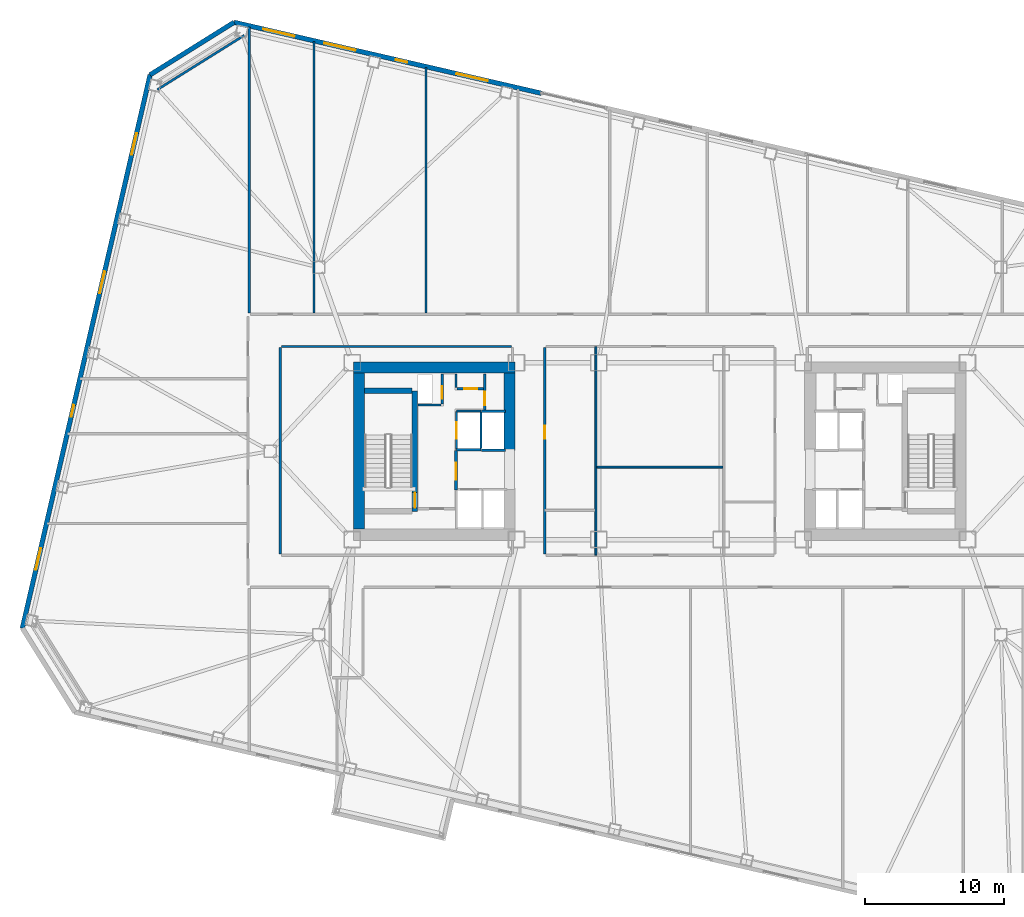
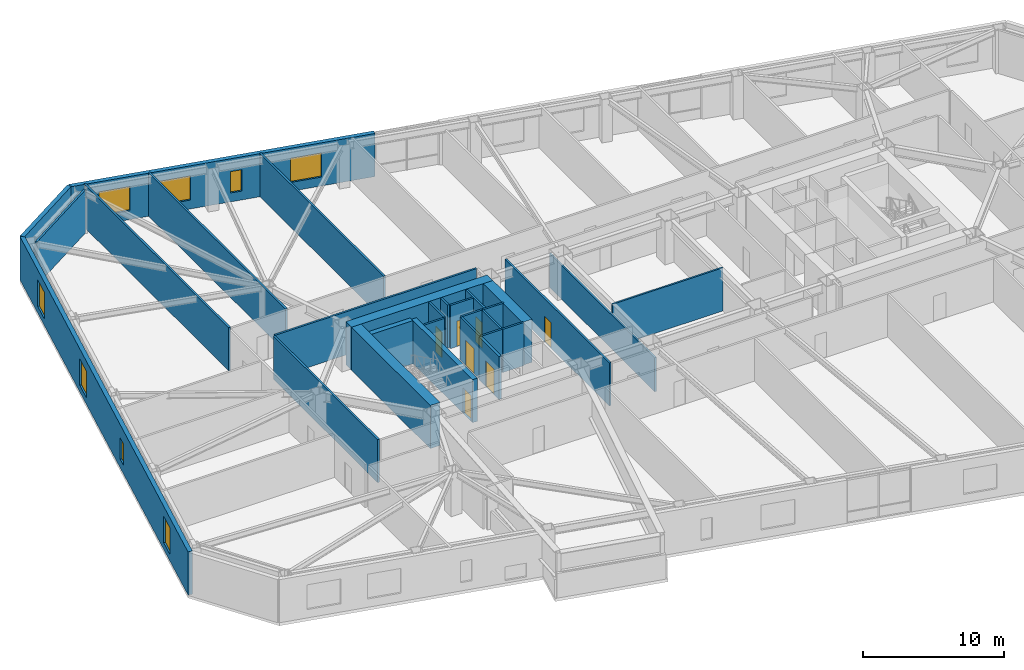
# One storey, part 10 of 18: 29 walls, 8 windows, 7 doors, 15 openings.
"""IFC4 building model written with IfcOpenShell, lengths in metres."""

from ifc_helpers import new_model, si_unit, direction, frame, frame_2d, origin, place, context, subcontext, project, spatial, rectangle, extrude, material, layer, layer_set, type_object, element, fill, save


model = new_model("IFC4")

# Units and contexts
model_context = context("Model", 3, precision=1e-05, world=origin(), true_north=direction((0.0, 1.0)))
body_context = subcontext(model_context, "Body", "Model", "MODEL_VIEW")
ifc_project = project(units=[si_unit("LENGTHUNIT", "METRE"), si_unit("AREAUNIT", "SQUARE_METRE"), si_unit("VOLUMEUNIT", "CUBIC_METRE"), si_unit("PLANEANGLEUNIT", "RADIAN"), si_unit("MASSUNIT", "GRAM", prefix="KILO")], contexts=[model_context])

# Site, building, storey
site_placement = place(None, origin())
site = spatial("IfcSite", under=ifc_project, at=site_placement, CompositionType="ELEMENT")
building_placement = place(site_placement, origin())
building = spatial("IfcBuilding", under=site, at=building_placement, Name="Tavrogorsk Clinical Tower", CompositionType="ELEMENT")
storey_placement = place(building_placement, frame((0.0, 0.0, 47.39990234375)))
storey = spatial("IfcBuildingStorey", under=building, at=storey_placement, Name="L09", CompositionType="ELEMENT", Elevation=47.39990234375)

# Wall, opening, door
ifc_material_1 = material(Name="Concrete B60", Category="concrete")
ifc_layer_1 = layer(ifc_material_1, 0.199951171875)
ifc_layer_set_1 = layer_set([ifc_layer_1], Name="Concrete B60")
wall_type_1 = type_object("IfcWallType", Name="CoreFireWall_200", PredefinedType="SOLIDWALL", material=ifc_layer_set_1)
wall_1_placement = place(storey_placement, frame((-14.639892578125, -2.780029296875, 0.0), z_axis=(0.0, 0.0, 1.0), x_axis=(0.0, 1.0, 0.0)))
wall_1 = element("IfcWall", 1, at=wall_1_placement, inside=storey, type_object=wall_type_1, Name="L09 Core West Firefighting Lobby Fire Wall", PredefinedType="SOLIDWALL", context=body_context, shape_type="SweptSolid", body=[
    extrude(rectangle(XDim=2.820068359375, YDim=0.199951171875, at=frame_2d((1.41015625, 0.0))), origin(), (0.0, 0.0, 1.0), 3.739990234375),
])
opening_1_placement = place(wall_1_placement, frame((0.72998046875, 0.0, 0.0)))
opening_1 = element("IfcOpeningElement", 2, at=opening_1_placement, cuts=wall_1, Name="Opening FD-01", PredefinedType="OPENING", context=body_context, shape_type="SweptSolid", body=[
    extrude(rectangle(XDim=1.199951171875, YDim=2.199951171875, at=frame_2d((0.60009765625, 1.10009765625))), frame((0.0, 0.10986328125, 0.0), z_axis=(0.0, -1.0, 0.0), x_axis=(1.0, 0.0, 0.0)), (0.0, 0.0, 1.0), 0.219970703125),
])
ifc_material_2 = material(Name="Galvanised steel fire-rated door assembly", Category="steel")
door_type_1 = type_object("IfcDoorType", Name="FireDoor_FD01_1200", OperationType="NOTDEFINED", PredefinedType="DOOR", material=ifc_material_2)
door_1_placement = place(opening_1_placement, origin())
door_1 = element("IfcDoor", 3, at=door_1_placement, inside=storey, type_object=door_type_1, Name="L09 Core West Firefighting Lobby Entry Door", OperationType="SINGLE_SWING_LEFT", OverallHeight=2.199951171875, OverallWidth=1.199951171875, PredefinedType="DOOR", context=body_context, shape_type="SweptSolid", body=[
    extrude(rectangle(XDim=1.199951171875, YDim=2.199951171875, at=frame_2d((0.60009765625, 1.10009765625))), frame((0.0, 0.02490234375, 0.0), z_axis=(0.0, -1.0, 0.0), x_axis=(1.0, 0.0, 0.0)), (0.0, 0.0, 1.0), 0.050048828125),
])
fill(opening_1, door_1)

# Walls
ifc_material_3 = material(Name="Lightweight concrete blockwork B15", Category="masonry")
ifc_layer_2 = layer(ifc_material_3, 0.139892578125)
ifc_layer_set_2 = layer_set([ifc_layer_2], Name="Lightweight concrete blockwork B15")
wall_type_2 = type_object("IfcWallType", Name="PartitionWall_140", PredefinedType="PARTITIONING", material=ifc_layer_set_2)
wall_2_placement = place(storey_placement, frame((-4.60009765625, -7.465087890625, 0.0), z_axis=(0.0, 0.0, 1.0), x_axis=(0.0, 1.0, 0.0)))
element("IfcWall", 4, at=wall_2_placement, inside=storey, type_object=wall_type_2, Name="L09 Central Spine Partition 1", PredefinedType="PARTITIONING", context=body_context, shape_type="SweptSolid", body=[
    extrude(rectangle(XDim=14.97998046875, YDim=0.139892578125, at=frame_2d((7.489990234375, 0.0))), origin(), (0.0, 0.0, 1.0), 2.93505859375),
])
wall_3_placement = place(storey_placement, frame((-4.52490234375, -1.14990234375, 0.0), z_axis=(0.0, 0.0, 1.0), x_axis=(1.0, 0.0, 0.0)))
element("IfcWall", 5, at=wall_3_placement, inside=storey, type_object=wall_type_2, Name="L09 Central Spine Partition 3", PredefinedType="PARTITIONING", context=body_context, shape_type="SweptSolid", body=[
    extrude(rectangle(XDim=9.0498046875, YDim=0.139892578125, at=frame_2d((4.52490234375, 0.0))), origin(), (0.0, 0.0, 1.0), 3.739990234375),
])

# Wall, opening, door
ifc_material_4 = material(Name="Lightweight concrete blockwork B15", Category="masonry")
ifc_layer_3 = layer(ifc_material_4, 0.159912109375)
ifc_layer_set_3 = layer_set([ifc_layer_3], Name="Lightweight concrete blockwork B15")
wall_type_3 = type_object("IfcWallType", Name="PartitionWall_160", PredefinedType="PARTITIONING", material=ifc_layer_set_3)
wall_4_placement = place(storey_placement, frame((-12.580078125, 2.9599609375, 0.0), z_axis=(0.0, 0.0, 1.0), x_axis=(0.0, 1.0, 0.0)))
wall_4 = element("IfcWall", 6, at=wall_4_placement, inside=storey, type_object=wall_type_3, Name="L09 Core West Linen Closet Wall", PredefinedType="PARTITIONING", context=body_context, shape_type="SweptSolid", body=[
    extrude(rectangle(XDim=2.60009765625, YDim=0.159912109375, at=frame_2d((1.300048828125, 0.0))), origin(), (0.0, 0.0, 1.0), 3.739990234375),
])
opening_2_placement = place(wall_4_placement, frame((0.35009765625, 0.0, 0.0)))
opening_2 = element("IfcOpeningElement", 7, at=opening_2_placement, cuts=wall_4, Name="Opening ID-02", PredefinedType="OPENING", context=body_context, shape_type="SweptSolid", body=[
    extrude(rectangle(XDim=0.949951171875, YDim=2.199951171875, at=frame_2d((0.47509765625, 1.10009765625))), frame((0.0, 0.08984375, 0.0), z_axis=(0.0, -1.0, 0.0), x_axis=(1.0, 0.0, 0.0)), (0.0, 0.0, 1.0), 0.179931640625),
])
ifc_material_5 = material(Name="Laminated timber leaf on aluminium frame", Category="wood")
door_type_2 = type_object("IfcDoorType", Name="InteriorDoor_ID02_950", OperationType="NOTDEFINED", PredefinedType="DOOR", material=ifc_material_5)
door_2_placement = place(opening_2_placement, origin())
door_2 = element("IfcDoor", 8, at=door_2_placement, inside=storey, type_object=door_type_2, Name="L09 Core West Linen Closet Door", OperationType="SINGLE_SWING_LEFT", OverallHeight=2.199951171875, OverallWidth=0.949951171875, PredefinedType="DOOR", context=body_context, shape_type="SweptSolid", body=[
    extrude(rectangle(XDim=0.949951171875, YDim=2.199951171875, at=frame_2d((0.47509765625, 1.10009765625))), frame((0.0, 0.02490234375, 0.0), z_axis=(0.0, -1.0, 0.0), x_axis=(1.0, 0.0, 0.0)), (0.0, 0.0, 1.0), 0.050048828125),
])
fill(opening_2, door_2)

wall_5_placement = place(storey_placement, frame((-14.554931640625, 4.47998046875, 0.0), z_axis=(0.0, 0.0, 1.0), x_axis=(1.0, 0.0, 0.0)))
wall_5 = element("IfcWall", 9, at=wall_5_placement, inside=storey, type_object=wall_type_3, Name="L09 Core West Housekeeping South Wall", PredefinedType="PARTITIONING", context=body_context, shape_type="SweptSolid", body=[
    extrude(rectangle(XDim=1.889892578125, YDim=0.159912109375, at=frame_2d((0.94482421875, 0.0))), origin(), (0.0, 0.0, 1.0), 3.739990234375),
])
opening_3_placement = place(wall_5_placement, frame((0.5, 0.0, 0.0)))
opening_3 = element("IfcOpeningElement", 10, at=opening_3_placement, cuts=wall_5, Name="Opening ID-02", PredefinedType="OPENING", context=body_context, shape_type="SweptSolid", body=[
    extrude(rectangle(XDim=0.949951171875, YDim=2.199951171875, at=frame_2d((0.47509765625, 1.10009765625))), frame((0.0, 0.08984375, 0.0), z_axis=(0.0, -1.0, 0.0), x_axis=(1.0, 0.0, 0.0)), (0.0, 0.0, 1.0), 0.179931640625),
])
door_3_placement = place(opening_3_placement, origin())
door_3 = element("IfcDoor", 11, at=door_3_placement, inside=storey, type_object=door_type_2, Name="L09 Core West Housekeeping Closet Door", OperationType="SINGLE_SWING_RIGHT", OverallHeight=2.199951171875, OverallWidth=0.949951171875, PredefinedType="DOOR", context=body_context, shape_type="SweptSolid", body=[
    extrude(rectangle(XDim=0.949951171875, YDim=2.199951171875, at=frame_2d((0.47509765625, 1.10009765625))), frame((0.0, 0.02490234375, 0.0), z_axis=(0.0, -1.0, 0.0), x_axis=(1.0, 0.0, 0.0)), (0.0, 0.0, 1.0), 0.050048828125),
])
fill(opening_3, door_3)

# Walls
wall_6_placement = place(storey_placement, frame((-14.639892578125, 4.56494140625, 0.0), z_axis=(0.0, 0.0, 1.0), x_axis=(0.0, 1.0, 0.0)))
element("IfcWall", 12, at=wall_6_placement, inside=storey, type_object=wall_type_3, Name="L09 Core West Housekeeping East Wall", PredefinedType="PARTITIONING", context=body_context, shape_type="SweptSolid", body=[
    extrude(rectangle(XDim=0.9951171875, YDim=0.159912109375, at=frame_2d((0.49755859375, 0.0))), origin(), (0.0, 0.0, 1.0), 3.739990234375),
])
wall_7_placement = place(storey_placement, frame((-29.859619140625, 29.8681640625, 0.0), z_axis=(0.0, 0.0, 1.0), x_axis=(-0.848043064089, -0.529927317139, 0.0)))
element("IfcWall", 13, at=wall_7_placement, inside=storey, type_object=wall_type_3, Name="L09 Corner Exoskeleton Brace Furring Wall 3", PredefinedType="PARTITIONING", context=body_context, shape_type="SweptSolid", body=[
    extrude(rectangle(XDim=7.353759765625, YDim=0.159912109375, at=frame_2d((3.6767578125, 0.0))), origin(), (0.0, 0.0, 1.0), 3.739990234375),
])

# Wall, opening, door
wall_8_placement = place(storey_placement, frame((-8.27001953125, 7.43505859375, 0.0), z_axis=(0.0, 0.0, 1.0), x_axis=(0.0, -1.0, 0.0)))
wall_8 = element("IfcWall", 14, at=wall_8_placement, inside=storey, type_object=wall_type_3, Name="L09 Corridor Partition 15", PredefinedType="PARTITIONING", context=body_context, shape_type="SweptSolid", body=[
    extrude(rectangle(XDim=14.820068359375, YDim=0.159912109375, at=frame_2d((7.41015625, 0.0))), origin(), (0.0, 0.0, 1.0), 3.739990234375),
])
opening_4_placement = place(wall_8_placement, frame((5.60400390625, 0.0, 0.0)))
opening_4 = element("IfcOpeningElement", 15, at=opening_4_placement, cuts=wall_8, Name="Opening ID-02", PredefinedType="OPENING", context=body_context, shape_type="SweptSolid", body=[
    extrude(rectangle(XDim=0.949951171875, YDim=2.199951171875, at=frame_2d((0.47509765625, 1.10009765625))), frame((0.0, 0.08984375, 0.0), z_axis=(0.0, -1.0, 0.0), x_axis=(1.0, 0.0, 0.0)), (0.0, 0.0, 1.0), 0.179931640625),
])
door_4_placement = place(opening_4_placement, origin())
door_4 = element("IfcDoor", 16, at=door_4_placement, inside=storey, type_object=door_type_2, Name="L09 Ward Nourishment Pantry Door", OperationType="SINGLE_SWING_RIGHT", OverallHeight=2.199951171875, OverallWidth=0.949951171875, PredefinedType="DOOR", context=body_context, shape_type="SweptSolid", body=[
    extrude(rectangle(XDim=0.949951171875, YDim=2.199951171875, at=frame_2d((0.47509765625, 1.10009765625))), frame((0.0, 0.02490234375, 0.0), z_axis=(0.0, -1.0, 0.0), x_axis=(1.0, 0.0, 0.0)), (0.0, 0.0, 1.0), 0.050048828125),
])
fill(opening_4, door_4)

# Walls
wall_9_placement = place(storey_placement, frame((-10.6650390625, 7.52001953125, 0.0), z_axis=(0.0, 0.0, 1.0), x_axis=(-1.0, 0.0, 0.0)))
element("IfcWall", 17, at=wall_9_placement, inside=storey, type_object=wall_type_3, Name="L09 Corridor Partition 20", PredefinedType="PARTITIONING", context=body_context, shape_type="SweptSolid", body=[
    extrude(rectangle(XDim=16.52001953125, YDim=0.159912109375, at=frame_2d((8.260009765625, 0.0))), origin(), (0.0, 0.0, 1.0), 3.739990234375),
])
wall_10_placement = place(storey_placement, frame((-27.27001953125, 7.43505859375, 0.0), z_axis=(0.0, 0.0, 1.0), x_axis=(0.0, -1.0, 0.0)))
element("IfcWall", 18, at=wall_10_placement, inside=storey, type_object=wall_type_3, Name="L09 Corridor Partition 21", PredefinedType="PARTITIONING", context=body_context, shape_type="SweptSolid", body=[
    extrude(rectangle(XDim=14.820068359375, YDim=0.159912109375, at=frame_2d((7.41015625, 0.0))), origin(), (0.0, 0.0, 1.0), 3.739990234375),
])
wall_11_placement = place(storey_placement, frame((-29.5, 9.9150390625, 0.0), z_axis=(0.0, 0.0, 1.0), x_axis=(0.0, 1.0, 0.0)))
element("IfcWall", 19, at=wall_11_placement, inside=storey, type_object=wall_type_3, Name="L09 NW Wing Closure Partition", PredefinedType="PARTITIONING", context=body_context, shape_type="SweptSolid", body=[
    extrude(rectangle(XDim=20.568603515625, YDim=0.159912109375, at=frame_2d((10.2841796875, 0.0))), origin(), (0.0, 0.0, 1.0), 3.739990234375),
])
wall_12_placement = place(storey_placement, frame((-24.85009765625, 9.9150390625, 0.0), z_axis=(0.0, 0.0, 1.0), x_axis=(0.0, 1.0, 0.0)))
element("IfcWall", 20, at=wall_12_placement, inside=storey, type_object=wall_type_3, Name="L09 North Room Partition 1", PredefinedType="PARTITIONING", context=body_context, shape_type="SweptSolid", body=[
    extrude(rectangle(XDim=19.4951171875, YDim=0.159912109375, at=frame_2d((9.74755859375, 0.0))), origin(), (0.0, 0.0, 1.0), 3.739990234375),
])
wall_13_placement = place(storey_placement, frame((-16.800048828125, 9.9150390625, 0.0), z_axis=(0.0, 0.0, 1.0), x_axis=(0.0, 1.0, 0.0)))
element("IfcWall", 21, at=wall_13_placement, inside=storey, type_object=wall_type_3, Name="L09 North Room Partition 2", PredefinedType="PARTITIONING", context=body_context, shape_type="SweptSolid", body=[
    extrude(rectangle(XDim=17.636474609375, YDim=0.159912109375, at=frame_2d((8.818359375, 0.0))), origin(), (0.0, 0.0, 1.0), 3.739990234375),
])

# Wall, openings, windows
ifc_material_6 = material(Name="Precast concrete B45 with limestone cladding", Category="masonry")
ifc_layer_4 = layer(ifc_material_6, 0.340087890625)
ifc_layer_set_4 = layer_set([ifc_layer_4], Name="Precast concrete B45 with limestone cladding")
wall_type_4 = type_object("IfcWallType", Name="PrecastLimestoneWall_340", PredefinedType="STANDARD", material=ifc_layer_set_4)
wall_14_placement = place(storey_placement, frame((-8.5166015625, 25.711181640625, 0.0), z_axis=(0.0, 0.0, 1.0), x_axis=(-0.974372845456, 0.224939009598, 0.0)))
wall_14 = element("IfcWall", 22, at=wall_14_placement, inside=storey, type_object=wall_type_4, Name="L09 N Limestone Facade Wall 3", PredefinedType="STANDARD", context=body_context, shape_type="SweptSolid", body=[
    extrude(rectangle(XDim=22.651611328125, YDim=0.340087890625, at=frame_2d((11.32568359375, 0.0))), origin(), (0.0, 0.0, 1.0), 3.739990234375),
])
opening_5_placement = place(wall_14_placement, frame((18.189208984375, 0.0, 0.77001953125)))
opening_5 = element("IfcOpeningElement", 23, at=opening_5_placement, cuts=wall_14, Name="Opening WN-12", PredefinedType="OPENING", context=body_context, shape_type="SweptSolid", body=[
    extrude(rectangle(XDim=2.300048828125, YDim=2.10009765625, at=frame_2d((1.14990234375, 1.050048828125))), frame((0.0, 0.179931640625, 0.0), z_axis=(0.0, -1.0, 0.0), x_axis=(1.0, 0.0, 0.0)), (0.0, 0.0, 1.0), 0.360107421875),
])
opening_6_placement = place(wall_14_placement, frame((13.704833984375, 0.0, 0.77001953125)))
opening_6 = element("IfcOpeningElement", 24, at=opening_6_placement, cuts=wall_14, Name="Opening WN-12", PredefinedType="OPENING", context=body_context, shape_type="SweptSolid", body=[
    extrude(rectangle(XDim=2.300048828125, YDim=2.10009765625, at=frame_2d((1.14990234375, 1.050048828125))), frame((0.0, 0.179931640625, 0.0), z_axis=(0.0, -1.0, 0.0), x_axis=(1.0, 0.0, 0.0)), (0.0, 0.0, 1.0), 0.360107421875),
])
opening_7_placement = place(wall_14_placement, frame((9.890625, 0.0, 0.77001953125)))
opening_7 = element("IfcOpeningElement", 25, at=opening_7_placement, cuts=wall_14, Name="Opening WN-06", PredefinedType="OPENING", context=body_context, shape_type="SweptSolid", body=[
    extrude(rectangle(XDim=0.85009765625, YDim=1.85009765625, at=frame_2d((0.425048828125, 0.925048828125))), frame((0.0, 0.179931640625, 0.0), z_axis=(0.0, -1.0, 0.0), x_axis=(1.0, 0.0, 0.0)), (0.0, 0.0, 1.0), 0.360107421875),
])
opening_8_placement = place(wall_14_placement, frame((3.956298828125, 0.0, 0.77001953125)))
opening_8 = element("IfcOpeningElement", 26, at=opening_8_placement, cuts=wall_14, Name="Opening WN-12", PredefinedType="OPENING", context=body_context, shape_type="SweptSolid", body=[
    extrude(rectangle(XDim=2.300048828125, YDim=2.10009765625, at=frame_2d((1.14990234375, 1.050048828125))), frame((0.0, 0.179931640625, 0.0), z_axis=(0.0, -1.0, 0.0), x_axis=(1.0, 0.0, 0.0)), (0.0, 0.0, 1.0), 0.360107421875),
])
ifc_material_7 = material(Name="Thermally broken aluminium frame and triple IGU", Category="aluminium")
window_type_1 = type_object("IfcWindowType", Name="MullionSubWin_850x1850", PartitioningType="SINGLE_PANEL", PredefinedType="WINDOW", material=ifc_material_7)
window_1_placement = place(opening_7_placement, origin())
window_1 = element("IfcWindow", 27, at=window_1_placement, inside=storey, type_object=window_type_1, Name="L09 N Mullion Split Window 03B", OverallHeight=1.85009765625, OverallWidth=0.85009765625, PartitioningType="SINGLE_PANEL", PredefinedType="WINDOW", context=body_context, shape_type="SweptSolid", body=[
    extrude(rectangle(XDim=0.85009765625, YDim=1.85009765625, at=frame_2d((0.425048828125, 0.925048828125))), frame((0.0, 0.030029296875, 0.0), z_axis=(0.0, -1.0, 0.0), x_axis=(1.0, 0.0, 0.0)), (0.0, 0.0, 1.0), 0.06005859375),
])
fill(opening_7, window_1)
ifc_material_8 = material(Name="Thermally broken aluminium frame and triple IGU", Category="aluminium")
window_type_2 = type_object("IfcWindowType", Name="RecoveryWin_2300x2100", PartitioningType="DOUBLE_PANEL_VERTICAL", PredefinedType="WINDOW", material=ifc_material_8)
window_2_placement = place(opening_5_placement, origin())
window_2 = element("IfcWindow", 28, at=window_2_placement, inside=storey, type_object=window_type_2, Name="L09 N Chicago Window 01", OverallHeight=2.10009765625, OverallWidth=2.300048828125, PartitioningType="SINGLE_PANEL", PredefinedType="WINDOW", context=body_context, shape_type="SweptSolid", body=[
    extrude(rectangle(XDim=2.300048828125, YDim=2.10009765625, at=frame_2d((1.14990234375, 1.050048828125))), frame((0.0, 0.030029296875, 0.0), z_axis=(0.0, -1.0, 0.0), x_axis=(1.0, 0.0, 0.0)), (0.0, 0.0, 1.0), 0.06005859375),
])
fill(opening_5, window_2)
window_3_placement = place(opening_6_placement, origin())
window_3 = element("IfcWindow", 29, at=window_3_placement, inside=storey, type_object=window_type_2, Name="L09 N Chicago Window 02", OverallHeight=2.10009765625, OverallWidth=2.300048828125, PartitioningType="SINGLE_PANEL", PredefinedType="WINDOW", context=body_context, shape_type="SweptSolid", body=[
    extrude(rectangle(XDim=2.300048828125, YDim=2.10009765625, at=frame_2d((1.14990234375, 1.050048828125))), frame((0.0, 0.030029296875, 0.0), z_axis=(0.0, -1.0, 0.0), x_axis=(1.0, 0.0, 0.0)), (0.0, 0.0, 1.0), 0.06005859375),
])
fill(opening_6, window_3)
window_4_placement = place(opening_8_placement, origin())
window_4 = element("IfcWindow", 30, at=window_4_placement, inside=storey, type_object=window_type_2, Name="L09 N Chicago Window 04", OverallHeight=2.10009765625, OverallWidth=2.300048828125, PartitioningType="SINGLE_PANEL", PredefinedType="WINDOW", context=body_context, shape_type="SweptSolid", body=[
    extrude(rectangle(XDim=2.300048828125, YDim=2.10009765625, at=frame_2d((1.14990234375, 1.050048828125))), frame((0.0, 0.030029296875, 0.0), z_axis=(0.0, -1.0, 0.0), x_axis=(1.0, 0.0, 0.0)), (0.0, 0.0, 1.0), 0.06005859375),
])
fill(opening_8, window_4)

wall_15_placement = place(storey_placement, frame((-36.6201171875, 27.036865234375, 0.0), z_axis=(0.0, 0.0, 1.0), x_axis=(-0.224951280646, -0.974370012539, 0.0)))
wall_15 = element("IfcWall", 31, at=wall_15_placement, inside=storey, type_object=wall_type_4, Name="L09 W Pleated Limestone Wing Wall", PredefinedType="STANDARD", context=body_context, shape_type="SweptSolid", body=[
    extrude(rectangle(XDim=40.7998046875, YDim=0.340087890625, at=frame_2d((20.39990234375, 0.0))), origin(), (0.0, 0.0, 1.0), 3.739990234375),
])
opening_9_placement = place(wall_15_placement, frame((4.300048828125, 0.0, 0.580078125)))
opening_9 = element("IfcOpeningElement", 32, at=opening_9_placement, cuts=wall_15, Name="Opening WN-07", PredefinedType="OPENING", context=body_context, shape_type="SweptSolid", body=[
    extrude(rectangle(XDim=1.60009765625, YDim=2.300048828125, at=frame_2d((0.800048828125, 1.14990234375))), frame((0.0, 0.179931640625, 0.0), z_axis=(0.0, -1.0, 0.0), x_axis=(1.0, 0.0, 0.0)), (0.0, 0.0, 1.0), 0.360107421875),
])
opening_10_placement = place(wall_15_placement, frame((14.5, 0.0, 0.580078125)))
opening_10 = element("IfcOpeningElement", 33, at=opening_10_placement, cuts=wall_15, Name="Opening WN-07", PredefinedType="OPENING", context=body_context, shape_type="SweptSolid", body=[
    extrude(rectangle(XDim=1.60009765625, YDim=2.300048828125, at=frame_2d((0.800048828125, 1.14990234375))), frame((0.0, 0.179931640625, 0.0), z_axis=(0.0, -1.0, 0.0), x_axis=(1.0, 0.0, 0.0)), (0.0, 0.0, 1.0), 0.360107421875),
])
opening_11_placement = place(wall_15_placement, frame((24.35009765625, 0.0, 0.75)))
opening_11 = element("IfcOpeningElement", 34, at=opening_11_placement, cuts=wall_15, Name="Opening WN-06", PredefinedType="OPENING", context=body_context, shape_type="SweptSolid", body=[
    extrude(rectangle(XDim=0.85009765625, YDim=1.85009765625, at=frame_2d((0.425048828125, 0.925048828125))), frame((0.0, 0.179931640625, 0.0), z_axis=(0.0, -1.0, 0.0), x_axis=(1.0, 0.0, 0.0)), (0.0, 0.0, 1.0), 0.360107421875),
])
opening_12_placement = place(wall_15_placement, frame((34.89990234375, 0.0, 0.580078125)))
opening_12 = element("IfcOpeningElement", 35, at=opening_12_placement, cuts=wall_15, Name="Opening WN-07", PredefinedType="OPENING", context=body_context, shape_type="SweptSolid", body=[
    extrude(rectangle(XDim=1.60009765625, YDim=2.300048828125, at=frame_2d((0.800048828125, 1.14990234375))), frame((0.0, 0.179931640625, 0.0), z_axis=(0.0, -1.0, 0.0), x_axis=(1.0, 0.0, 0.0)), (0.0, 0.0, 1.0), 0.360107421875),
])
window_5_placement = place(opening_11_placement, origin())
window_5 = element("IfcWindow", 36, at=window_5_placement, inside=storey, type_object=window_type_1, Name="L09 W Pleat Mullion Window 3A", OverallHeight=1.85009765625, OverallWidth=0.85009765625, PartitioningType="SINGLE_PANEL", PredefinedType="WINDOW", context=body_context, shape_type="SweptSolid", body=[
    extrude(rectangle(XDim=0.85009765625, YDim=1.85009765625, at=frame_2d((0.425048828125, 0.925048828125))), frame((0.0, 0.030029296875, 0.0), z_axis=(0.0, -1.0, 0.0), x_axis=(1.0, 0.0, 0.0)), (0.0, 0.0, 1.0), 0.06005859375),
])
fill(opening_11, window_5)
ifc_material_9 = material(Name="Thermally broken aluminium frame and triple IGU", Category="aluminium")
window_type_3 = type_object("IfcWindowType", Name="PleatSlotWin_1600x2300", PartitioningType="SINGLE_PANEL", PredefinedType="WINDOW", material=ifc_material_9)
window_6_placement = place(opening_9_placement, origin())
window_6 = element("IfcWindow", 37, at=window_6_placement, inside=storey, type_object=window_type_3, Name="L09 W Pleat Slot Window 1", OverallHeight=2.300048828125, OverallWidth=1.60009765625, PartitioningType="SINGLE_PANEL", PredefinedType="WINDOW", context=body_context, shape_type="SweptSolid", body=[
    extrude(rectangle(XDim=1.60009765625, YDim=2.300048828125, at=frame_2d((0.800048828125, 1.14990234375))), frame((0.0, 0.030029296875, 0.0), z_axis=(0.0, -1.0, 0.0), x_axis=(1.0, 0.0, 0.0)), (0.0, 0.0, 1.0), 0.06005859375),
])
fill(opening_9, window_6)
window_7_placement = place(opening_10_placement, origin())
window_7 = element("IfcWindow", 38, at=window_7_placement, inside=storey, type_object=window_type_3, Name="L09 W Pleat Slot Window 2", OverallHeight=2.300048828125, OverallWidth=1.60009765625, PartitioningType="SINGLE_PANEL", PredefinedType="WINDOW", context=body_context, shape_type="SweptSolid", body=[
    extrude(rectangle(XDim=1.60009765625, YDim=2.300048828125, at=frame_2d((0.800048828125, 1.14990234375))), frame((0.0, 0.030029296875, 0.0), z_axis=(0.0, -1.0, 0.0), x_axis=(1.0, 0.0, 0.0)), (0.0, 0.0, 1.0), 0.06005859375),
])
fill(opening_10, window_7)
window_8_placement = place(opening_12_placement, origin())
window_8 = element("IfcWindow", 39, at=window_8_placement, inside=storey, type_object=window_type_3, Name="L09 W Pleat Slot Window 4", OverallHeight=2.300048828125, OverallWidth=1.60009765625, PartitioningType="SINGLE_PANEL", PredefinedType="WINDOW", context=body_context, shape_type="SweptSolid", body=[
    extrude(rectangle(XDim=1.60009765625, YDim=2.300048828125, at=frame_2d((0.800048828125, 1.14990234375))), frame((0.0, 0.030029296875, 0.0), z_axis=(0.0, -1.0, 0.0), x_axis=(1.0, 0.0, 0.0)), (0.0, 0.0, 1.0), 0.06005859375),
])
fill(opening_12, window_8)

# Wall
wall_16_placement = place(storey_placement, frame((-30.587646484375, 30.806640625, 0.0), z_axis=(0.0, 0.0, 1.0), x_axis=(-0.848031080615, -0.529946493819, 0.0)))
element("IfcWall", 40, at=wall_16_placement, inside=storey, type_object=wall_type_4, Name="L09 Chamfered Corner Wall 3", PredefinedType="STANDARD", context=body_context, shape_type="SweptSolid", body=[
    extrude(rectangle(XDim=7.113525390625, YDim=0.340087890625, at=frame_2d((3.556640625, 0.0))), origin(), (0.0, 0.0, 1.0), 3.739990234375),
])

# Wall, opening, door
ifc_material_10 = material(Name="Lightweight concrete blockwork B25", Category="masonry")
ifc_layer_5 = layer(ifc_material_10, 0.159912109375)
ifc_layer_set_5 = layer_set([ifc_layer_5], Name="Lightweight concrete blockwork B25")
wall_type_5 = type_object("IfcWallType", Name="ShaftWall_160", PredefinedType="PARTITIONING", material=ifc_layer_set_5)
wall_17_placement = place(storey_placement, frame((-14.60009765625, 0.1201171875, 0.0), z_axis=(0.0, 0.0, 1.0), x_axis=(0.0, 1.0, 0.0)))
wall_17 = element("IfcWall", 41, at=wall_17_placement, inside=storey, type_object=wall_type_5, Name="L09 FFL-W Firefighting Lift Front Wall", PredefinedType="PARTITIONING", context=body_context, shape_type="SweptSolid", body=[
    extrude(rectangle(XDim=2.739990234375, YDim=0.159912109375, at=frame_2d((1.3701171875, 0.0))), origin(), (0.0, 0.0, 1.0), 3.739990234375),
])
opening_13_placement = place(wall_17_placement, frame((0.77001953125, 0.0, 0.0)))
opening_13 = element("IfcOpeningElement", 42, at=opening_13_placement, cuts=wall_17, Name="Opening LD", PredefinedType="OPENING", context=body_context, shape_type="SweptSolid", body=[
    extrude(rectangle(XDim=1.199951171875, YDim=2.199951171875, at=frame_2d((0.60009765625, 1.10009765625))), frame((0.0, 0.08984375, 0.0), z_axis=(0.0, -1.0, 0.0), x_axis=(1.0, 0.0, 0.0)), (0.0, 0.0, 1.0), 0.179931640625),
])
ifc_material_11 = material(Name="Brushed stainless steel AISI 304 sliding doors", Category="steel")
door_type_3 = type_object("IfcDoorType", Name="LiftLandingDoor_LD_1200", OperationType="SLIDING_TO_LEFT", PredefinedType="DOOR", material=ifc_material_11)
door_5_placement = place(opening_13_placement, origin())
door_5 = element("IfcDoor", 43, at=door_5_placement, inside=storey, type_object=door_type_3, Name="L09 FFL-W Sliding Lift Landing Door", OperationType="SLIDING_TO_LEFT", OverallHeight=2.199951171875, OverallWidth=1.199951171875, PredefinedType="DOOR", context=body_context, shape_type="SweptSolid", body=[
    extrude(rectangle(XDim=1.199951171875, YDim=2.199951171875, at=frame_2d((0.60009765625, 1.10009765625))), frame((0.0, 0.02490234375, 0.0), z_axis=(0.0, -1.0, 0.0), x_axis=(1.0, 0.0, 0.0)), (0.0, 0.0, 1.0), 0.050048828125),
])
fill(opening_13, door_5)

# Walls
for number, where, z_axis, x_axis, name in (
    (44, (-14.60009765625, 0.10009765625, 0.0), (0.0, 0.0, 1.0), (1.0, 0.0, 0.0), "L09 FFL-W Shaft South Wall"),
    (45, (-14.60009765625, 2.8798828125, 0.0), (0.0, 0.0, 1.0), (1.0, 0.0, 0.0), "L09 FFL-W Shaft North Wall"),
):
    element("IfcWall", number, at=place(storey_placement, frame(where, z_axis=z_axis, x_axis=x_axis)), inside=storey, type_object=wall_type_5, Name=name, PredefinedType="PARTITIONING", context=body_context, shape_type="SweptSolid", body=[
        extrude(rectangle(XDim=1.760009765625, YDim=0.159912109375, at=frame_2d((0.8798828125, 0.0))), origin(), (0.0, 0.0, 1.0), 3.739990234375),
    ])
wall_18_placement = place(storey_placement, frame((-12.840087890625, 0.179931640625, 0.0), z_axis=(0.0, 0.0, 1.0), x_axis=(0.0, 1.0, 0.0)))
element("IfcWall", 46, at=wall_18_placement, inside=storey, type_object=wall_type_5, Name="L09 FFL-W Shaft Back Wall", PredefinedType="PARTITIONING", context=body_context, shape_type="SweptSolid", body=[
    extrude(rectangle(XDim=2.6201171875, YDim=0.159912109375, at=frame_2d((1.31005859375, 0.0))), origin(), (0.0, 0.0, 1.0), 3.739990234375),
])
for number, where, z_axis, x_axis, name in (
    (47, (-12.820068359375, 0.06005859375, 0.0), (0.0, 0.0, 1.0), (1.0, 0.0, 0.0), "L09 LP-H1 High-Zone Lift Portal Wall"),
    (48, (-12.820068359375, 2.860107421875, 0.0), (0.0, 0.0, 1.0), (1.0, 0.0, 0.0), "L09 LP-H1 High-Zone Lift Rear Wall"),
):
    element("IfcWall", number, at=place(storey_placement, frame(where, z_axis=z_axis, x_axis=x_axis)), inside=storey, type_object=wall_type_5, Name=name, PredefinedType="PARTITIONING", context=body_context, shape_type="SweptSolid", body=[
        extrude(rectangle(XDim=1.719970703125, YDim=0.159912109375, at=frame_2d((0.85986328125, 0.0))), origin(), (0.0, 0.0, 1.0), 3.739990234375),
    ])

# Wall, opening, door
wall_19_placement = place(storey_placement, frame((-15.639892578125, 3.405029296875, 0.0), z_axis=(0.0, 0.0, 1.0), x_axis=(0.0, 1.0, 0.0)))
wall_19 = element("IfcWall", 49, at=wall_19_placement, inside=storey, type_object=wall_type_5, Name="L09 Core West Riser West Wall", PredefinedType="PARTITIONING", context=body_context, shape_type="SweptSolid", body=[
    extrude(rectangle(XDim=2.155029296875, YDim=0.159912109375, at=frame_2d((1.07763671875, 0.0))), origin(), (0.0, 0.0, 1.0), 3.739990234375),
])
opening_14_placement = place(wall_19_placement, frame((0.35009765625, 0.0, 0.0)))
opening_14 = element("IfcOpeningElement", 50, at=opening_14_placement, cuts=wall_19, Name="Opening FD-02", PredefinedType="OPENING", context=body_context, shape_type="SweptSolid", body=[
    extrude(rectangle(XDim=0.89990234375, YDim=2.199951171875, at=frame_2d((0.449951171875, 1.10009765625))), frame((0.0, 0.08984375, 0.0), z_axis=(0.0, -1.0, 0.0), x_axis=(1.0, 0.0, 0.0)), (0.0, 0.0, 1.0), 0.179931640625),
])
ifc_material_12 = material(Name="Galvanised steel fire-rated door assembly", Category="steel")
door_type_4 = type_object("IfcDoorType", Name="FireDoor_FD02_900", OperationType="NOTDEFINED", PredefinedType="DOOR", material=ifc_material_12)
door_6_placement = place(opening_14_placement, origin())
door_6 = element("IfcDoor", 51, at=door_6_placement, inside=storey, type_object=door_type_4, Name="L09 Core West Electrical Riser Access Door", OperationType="SINGLE_SWING_LEFT", OverallHeight=2.199951171875, OverallWidth=0.89990234375, PredefinedType="DOOR", context=body_context, shape_type="SweptSolid", body=[
    extrude(rectangle(XDim=0.89990234375, YDim=2.199951171875, at=frame_2d((0.449951171875, 1.10009765625))), frame((0.0, 0.02490234375, 0.0), z_axis=(0.0, -1.0, 0.0), x_axis=(1.0, 0.0, 0.0)), (0.0, 0.0, 1.0), 0.050048828125),
])
fill(opening_14, door_6)

# Wall
wall_20_placement = place(storey_placement, frame((-17.3798828125, 3.320068359375, 0.0), z_axis=(0.0, 0.0, 1.0), x_axis=(1.0, 0.0, 0.0)))
element("IfcWall", 52, at=wall_20_placement, inside=storey, type_object=wall_type_5, Name="L09 Core West Riser South Wall", PredefinedType="PARTITIONING", context=body_context, shape_type="SweptSolid", body=[
    extrude(rectangle(XDim=1.65478515625, YDim=0.159912109375, at=frame_2d((0.827392578125, 0.0))), origin(), (0.0, 0.0, 1.0), 3.739990234375),
])

# Wall, opening, door
ifc_material_13 = material(Name="Concrete B80", Category="concrete")
ifc_layer_6 = layer(ifc_material_13, 0.39990234375)
ifc_layer_set_6 = layer_set([ifc_layer_6], Name="Concrete B80")
wall_type_6 = type_object("IfcWallType", Name="ShearWall_400", PredefinedType="SHEAR", material=ifc_layer_set_6)
wall_21_placement = place(storey_placement, frame((-17.60009765625, -4.324951171875, 0.0), z_axis=(0.0, 0.0, 1.0), x_axis=(0.0, 1.0, 0.0)))
wall_21 = element("IfcWall", 53, at=wall_21_placement, inside=storey, type_object=wall_type_6, Name="L09 Core West Stair Shaft Inner Shear Wall", PredefinedType="SHEAR", context=body_context, shape_type="SweptSolid", body=[
    extrude(rectangle(XDim=8.64990234375, YDim=0.39990234375, at=frame_2d((4.324951171875, 0.0))), origin(), (0.0, 0.0, 1.0), 3.739990234375),
])
opening_15_placement = place(wall_21_placement, frame((0.25, 0.0, 0.0)))
opening_15 = element("IfcOpeningElement", 54, at=opening_15_placement, cuts=wall_21, Name="Opening SD-01", PredefinedType="OPENING", context=body_context, shape_type="SweptSolid", body=[
    extrude(rectangle(XDim=1.10009765625, YDim=2.199951171875, at=frame_2d((0.550048828125, 1.10009765625))), frame((0.0, 0.2099609375, 0.0), z_axis=(0.0, -1.0, 0.0), x_axis=(1.0, 0.0, 0.0)), (0.0, 0.0, 1.0), 0.419921875),
])
ifc_material_14 = material(Name="Galvanised steel smoke-tight fire door assembly", Category="steel")
door_type_5 = type_object("IfcDoorType", Name="StairFireDoor_SD01_1100", OperationType="NOTDEFINED", PredefinedType="DOOR", material=ifc_material_14)
door_7_placement = place(opening_15_placement, origin())
door_7 = element("IfcDoor", 55, at=door_7_placement, inside=storey, type_object=door_type_5, Name="L09 ST-W Exit Stair Door", OperationType="SINGLE_SWING_RIGHT", OverallHeight=2.199951171875, OverallWidth=1.10009765625, PredefinedType="DOOR", context=body_context, shape_type="SweptSolid", body=[
    extrude(rectangle(XDim=1.10009765625, YDim=2.199951171875, at=frame_2d((0.550048828125, 1.10009765625))), frame((0.0, 0.02490234375, 0.0), z_axis=(0.0, -1.0, 0.0), x_axis=(1.0, 0.0, 0.0)), (0.0, 0.0, 1.0), 0.050048828125),
])
fill(opening_15, door_7)

# Walls
wall_22_placement = place(storey_placement, frame((-21.199951171875, 4.324951171875, 0.0), z_axis=(0.0, 0.0, 1.0), x_axis=(1.0, 0.0, 0.0)))
element("IfcWall", 56, at=wall_22_placement, inside=storey, type_object=wall_type_6, Name="L09 Core West Stair Shaft North Shear Wall", PredefinedType="SHEAR", context=body_context, shape_type="SweptSolid", body=[
    extrude(rectangle(XDim=3.39990234375, YDim=0.39990234375, at=frame_2d((1.699951171875, 0.0))), origin(), (0.0, 0.0, 1.0), 3.739990234375),
])
ifc_material_15 = material(Name="Concrete B80", Category="concrete")
ifc_layer_7 = layer(ifc_material_15, 0.800048828125)
ifc_layer_set_7 = layer_set([ifc_layer_7], Name="Concrete B80")
wall_type_7 = type_object("IfcWallType", Name="ShearWall_800", PredefinedType="SHEAR", material=ifc_layer_set_7)
wall_23_placement = place(storey_placement, frame((-22.0, 6.0, 0.0), z_axis=(0.0, 0.0, 1.0), x_axis=(1.0, 0.0, 0.0)))
element("IfcWall", 57, at=wall_23_placement, inside=storey, type_object=wall_type_7, Name="L09 Core West North Shear Wall", PredefinedType="SHEAR", context=body_context, shape_type="SweptSolid", body=[
    extrude(rectangle(XDim=11.60009765625, YDim=0.800048828125, at=frame_2d((5.800048828125, 0.0))), origin(), (0.0, 0.0, 1.0), 3.739990234375),
])
wall_24_placement = place(storey_placement, frame((-21.60009765625, -5.60009765625, 0.0), z_axis=(0.0, 0.0, 1.0), x_axis=(0.0, 1.0, 0.0)))
element("IfcWall", 58, at=wall_24_placement, inside=storey, type_object=wall_type_7, Name="L09 Core West End Shear Wall", PredefinedType="SHEAR", context=body_context, shape_type="SweptSolid", body=[
    extrude(rectangle(XDim=11.2001953125, YDim=0.800048828125, at=frame_2d((5.60009765625, 0.0))), origin(), (0.0, 0.0, 1.0), 3.739990234375),
])
wall_25_placement = place(storey_placement, frame((-10.800048828125, 0.050048828125, 0.0), z_axis=(0.0, 0.0, 1.0), x_axis=(0.0, 1.0, 0.0)))
element("IfcWall", 59, at=wall_25_placement, inside=storey, type_object=wall_type_7, Name="L09 Core West Inner North Pier", PredefinedType="SHEAR", context=body_context, shape_type="SweptSolid", body=[
    extrude(rectangle(XDim=5.550048828125, YDim=0.800048828125, at=frame_2d((2.77490234375, 0.0))), origin(), (0.0, 0.0, 1.0), 3.739990234375),
])

save(model, "model.ifc")
